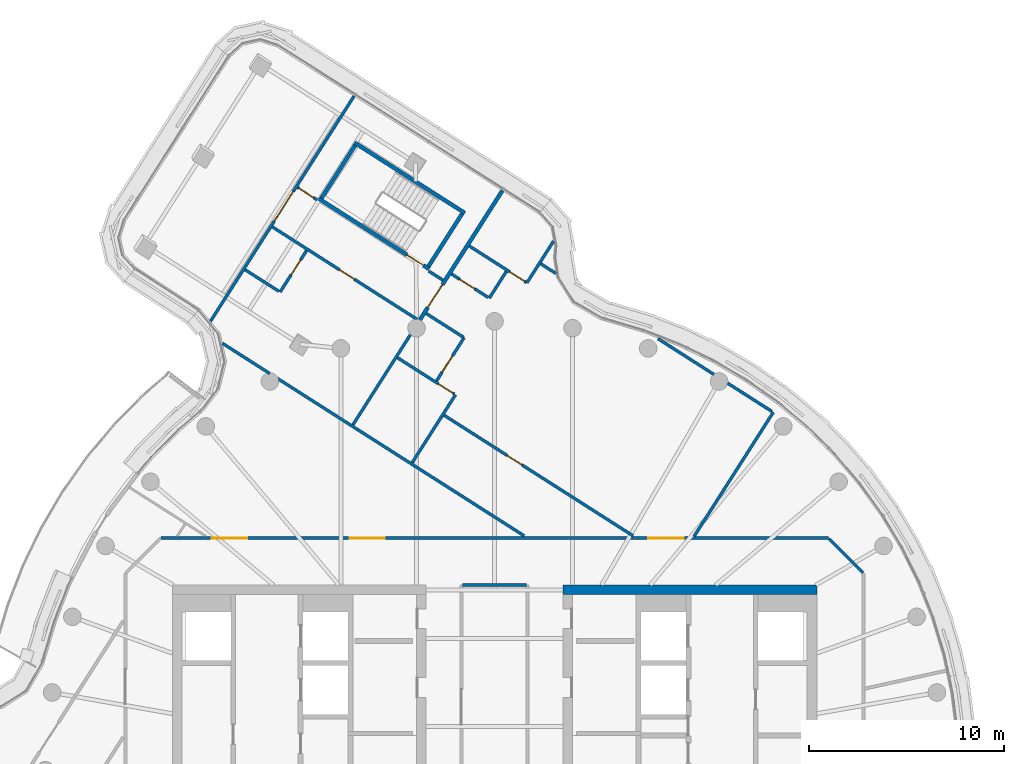
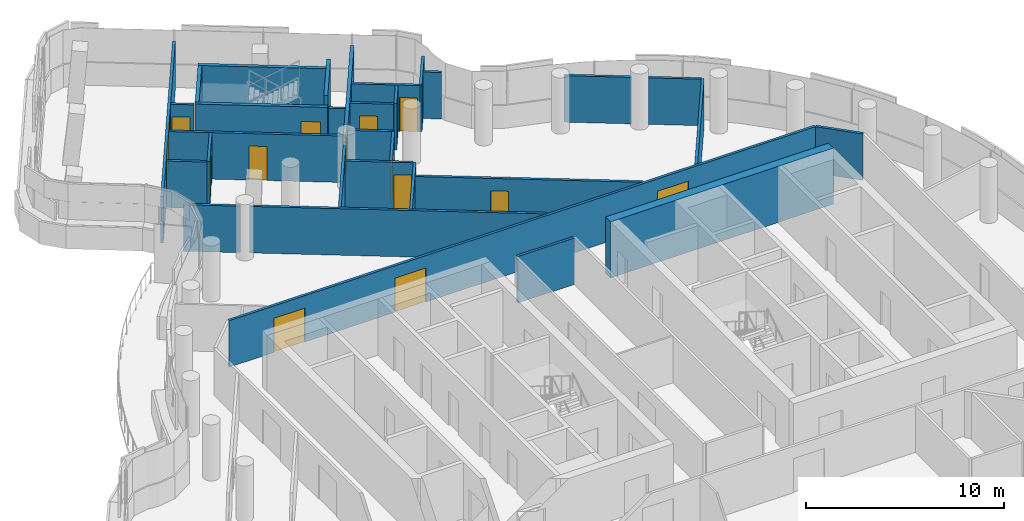
# One storey, part 20 of 27: 31 walls, 14 doors, 14 openings.
"""IFC4 building model written with IfcOpenShell, lengths in metres."""

from ifc_helpers import new_model, si_unit, direction, frame, frame_2d, origin, place, context, subcontext, project, spatial, polyline, rectangle, outline, extrude, material, layer, layer_set, type_object, element, fill, save


model = new_model("IFC4")

# Units and contexts
model_context = context("Model", 3, precision=1e-05, world=origin(), true_north=direction((0.0, 1.0)))
body_context = subcontext(model_context, "Body", "Model", "MODEL_VIEW")
ifc_project = project(units=[si_unit("LENGTHUNIT", "METRE"), si_unit("AREAUNIT", "SQUARE_METRE"), si_unit("VOLUMEUNIT", "CUBIC_METRE"), si_unit("PLANEANGLEUNIT", "RADIAN"), si_unit("MASSUNIT", "GRAM", prefix="KILO")], contexts=[model_context])

# Site, building, storey
site_placement = place(None, origin())
site = spatial("IfcSite", under=ifc_project, at=site_placement, CompositionType="ELEMENT")
building_placement = place(site_placement, origin())
building = spatial("IfcBuilding", under=site, at=building_placement, Name="Tamarind Cross Interchange Tower", CompositionType="ELEMENT")
storey_placement = place(building_placement, frame((0.0, 0.0, 241.5)))
storey = spatial("IfcBuildingStorey", under=building, at=storey_placement, Name="L61", CompositionType="ELEMENT", Elevation=241.5)

# Walls
ifc_material_1 = material(Name="Concrete C50", Category="concrete")
ifc_layer_1 = layer(ifc_material_1, 0.5)
ifc_layer_set_1 = layer_set([ifc_layer_1], Name="Concrete C50")
wall_type_1 = type_object("IfcWallType", Name="Core wall 500 mm Concrete C50", PredefinedType="SHEAR", material=ifc_layer_set_1)
wall_1_placement = place(storey_placement, frame((16.5, 9.25, 0.0), z_axis=(0.0, 0.0, 1.0), x_axis=(-1.0, 0.0, 0.0)))
element("IfcWall", 1, at=wall_1_placement, inside=storey, type_object=wall_type_1, Name="Core wall CWL-L61-E-NE", PredefinedType="SHEAR", context=body_context, shape_type="SweptSolid", body=[
    extrude(rectangle(XDim=13.0, YDim=0.5, at=frame_2d((6.5, 0.0))), origin(), (0.0, 0.0, 1.0), 3.4599609375),
])
ifc_material_2 = material(Name="Gypsum board partition on steel studs", Category="steel")
ifc_layer_2 = layer(ifc_material_2, 0.14990234375)
ifc_layer_set_2 = layer_set([ifc_layer_2], Name="Gypsum board partition on steel studs")
wall_type_2 = type_object("IfcWallType", Name="Partition 150 mm EI 120", PredefinedType="PARTITIONING", material=ifc_layer_set_2)
wall_2_placement = place(storey_placement, frame((17.12841796875, 11.87158203125, 0.0), z_axis=(0.0, 0.0, 1.0), x_axis=(0.707106781187, -0.707106781187, 0.0)))
element("IfcWall", 2, at=wall_2_placement, inside=storey, type_object=wall_type_2, Name="Partition L61-003", PredefinedType="PARTITIONING", context=body_context, shape_type="SweptSolid", body=[
    extrude(rectangle(XDim=2.465087890625, YDim=0.14990234375, at=frame_2d((1.232421875, 0.0))), origin(), (0.0, 0.0, 1.0), 2.864013671875),
])
wall_3_placement = place(storey_placement, frame((-13.931640625, 21.872802734375, 0.0), z_axis=(0.0, 0.0, 1.0), x_axis=(0.84305579935, -0.537826104966, 0.0)))
element("IfcWall", 3, at=wall_3_placement, inside=storey, type_object=wall_type_2, Name="Partition L61-010", PredefinedType="PARTITIONING", context=body_context, shape_type="SweptSolid", body=[
    extrude(rectangle(XDim=2.873779296875, YDim=0.14990234375, at=frame_2d((1.43701171875, 0.0))), origin(), (0.0, 0.0, 1.0), 2.864013671875),
])
wall_4_placement = place(storey_placement, frame((-11.12939453125, 20.085205078125, 0.0), z_axis=(0.0, 0.0, 1.0), x_axis=(0.843050351753, -0.537834644114, 0.0)))
element("IfcWall", 4, at=wall_4_placement, inside=storey, type_object=wall_type_2, Name="Partition L61-011", PredefinedType="PARTITIONING", context=body_context, shape_type="SweptSolid", body=[
    extrude(rectangle(XDim=14.998779296875, YDim=0.14990234375, at=frame_2d((7.49951171875, 0.0))), origin(), (0.0, 0.0, 1.0), 2.864013671875),
])
wall_5_placement = place(storey_placement, frame((-12.767578125, 25.637939453125, 0.0), z_axis=(0.0, 0.0, 1.0), x_axis=(0.842938331802, -0.538010193935, 0.0)))
element("IfcWall", 5, at=wall_5_placement, inside=storey, type_object=wall_type_2, Name="Partition L61-012", PredefinedType="PARTITIONING", context=body_context, shape_type="SweptSolid", body=[
    extrude(rectangle(XDim=2.045654296875, YDim=0.14990234375, at=frame_2d((1.02294921875, 0.0))), origin(), (0.0, 0.0, 1.0), 2.864013671875),
])

# Wall, opening, door
wall_6_placement = place(storey_placement, frame((-11.36865234375, 27.829833984375, 0.0), z_axis=(0.0, 0.0, 1.0), x_axis=(0.842808712654, -0.53821322343, 0.0)))
wall_6 = element("IfcWall", 6, at=wall_6_placement, inside=storey, type_object=wall_type_2, Name="Partition L61-013", PredefinedType="PARTITIONING", context=body_context, shape_type="SweptSolid", body=[
    extrude(rectangle(XDim=8.781494140625, YDim=0.14990234375, at=frame_2d((4.390625, 0.0))), origin(), (0.0, 0.0, 1.0), 2.864013671875),
])
opening_1_placement = place(wall_6_placement, frame((4.06982421875, 0.0, 0.0)))
opening_1 = element("IfcOpeningElement", 7, at=opening_1_placement, cuts=wall_6, Name="Opening D04", PredefinedType="OPENING", context=body_context, shape_type="SweptSolid", body=[
    extrude(rectangle(XDim=0.89990234375, YDim=2.10009765625, at=frame_2d((0.449951171875, 1.050048828125))), frame((0.0, 0.0849609375, 0.0), z_axis=(0.0, -1.0, 0.0), x_axis=(1.0, 0.0, 0.0)), (0.0, 0.0, 1.0), 0.169921875),
])
ifc_material_3 = material(Name="Fire-resisting door set")
door_type_1 = type_object("IfcDoorType", Name="Interior door 900 x 2100 FD60S", OperationType="SINGLE_SWING_LEFT", PredefinedType="DOOR", material=ifc_material_3)
door_1_placement = place(opening_1_placement, frame((0.89990234375, 0.0, 0.0), z_axis=(0.0, 0.0, 1.0), x_axis=(-1.0, 0.0, 0.0)))
door_1 = element("IfcDoor", 8, at=door_1_placement, inside=storey, type_object=door_type_1, Name="Door D04", OperationType="SINGLE_SWING_RIGHT", OverallHeight=2.10009765625, OverallWidth=0.89990234375, PredefinedType="DOOR", context=body_context, shape_type="SweptSolid", body=[
    extrude(rectangle(XDim=0.89990234375, YDim=2.10009765625, at=frame_2d((0.449951171875, 1.050048828125))), frame((0.0, 0.02490234375, 0.0), z_axis=(0.0, -1.0, 0.0), x_axis=(1.0, 0.0, 0.0)), (0.0, 0.0, 1.0), 0.050048828125),
])
fill(opening_1, door_1)

wall_7_placement = place(storey_placement, frame((-10.07861328125, 29.85302734375, 0.0), z_axis=(0.0, 0.0, 1.0), x_axis=(0.843055969534, -0.537825838198, 0.0)))
wall_7 = element("IfcWall", 9, at=wall_7_placement, inside=storey, type_object=wall_type_2, Name="Partition L61-014", PredefinedType="PARTITIONING", context=body_context, shape_type="SweptSolid", body=[
    extrude(rectangle(XDim=1.1796875, YDim=0.14990234375, at=frame_2d((0.58984375, 0.0))), origin(), (0.0, 0.0, 1.0), 2.864013671875),
])
opening_2_placement = place(wall_7_placement, frame((0.070068359375, 0.0, 0.0)))
opening_2 = element("IfcOpeningElement", 10, at=opening_2_placement, cuts=wall_7, Name="Opening D05", PredefinedType="OPENING", context=body_context, shape_type="SweptSolid", body=[
    extrude(rectangle(XDim=0.89990234375, YDim=2.10009765625, at=frame_2d((0.449951171875, 1.050048828125))), frame((0.0, 0.0849609375, 0.0), z_axis=(0.0, -1.0, 0.0), x_axis=(1.0, 0.0, 0.0)), (0.0, 0.0, 1.0), 0.169921875),
])
door_2_placement = place(opening_2_placement, origin())
door_2 = element("IfcDoor", 11, at=door_2_placement, inside=storey, type_object=door_type_1, Name="Door D05", OperationType="SINGLE_SWING_RIGHT", OverallHeight=2.10009765625, OverallWidth=0.89990234375, PredefinedType="DOOR", context=body_context, shape_type="SweptSolid", body=[
    extrude(rectangle(XDim=0.89990234375, YDim=2.10009765625, at=frame_2d((0.449951171875, 1.050048828125))), frame((0.0, 0.02490234375, 0.0), z_axis=(0.0, -1.0, 0.0), x_axis=(1.0, 0.0, 0.0)), (0.0, 0.0, 1.0), 0.050048828125),
])
fill(opening_2, door_2)

# Wall
wall_8_placement = place(storey_placement, frame((-3.3671875, 25.5712890625, 0.0), z_axis=(0.0, 0.0, 1.0), x_axis=(0.843064660237, -0.537812215052, 0.0)))
element("IfcWall", 12, at=wall_8_placement, inside=storey, type_object=wall_type_2, Name="Partition L61-015", PredefinedType="PARTITIONING", context=body_context, shape_type="SweptSolid", body=[
    extrude(rectangle(XDim=0.85986328125, YDim=0.14990234375, at=frame_2d((0.429931640625, 0.0))), origin(), (0.0, 0.0, 1.0), 2.864013671875),
])

# Wall, opening, door
wall_9_placement = place(storey_placement, frame((-4.964599609375, 21.134033203125, 0.0), z_axis=(0.0, 0.0, 1.0), x_axis=(0.843056900244, -0.537824379283, 0.0)))
wall_9 = element("IfcWall", 13, at=wall_9_placement, inside=storey, type_object=wall_type_2, Name="Partition L61-016", PredefinedType="PARTITIONING", context=body_context, shape_type="SweptSolid", body=[
    extrude(rectangle(XDim=3.445068359375, YDim=0.14990234375, at=frame_2d((1.72265625, 0.0))), origin(), (0.0, 0.0, 1.0), 2.864013671875),
])
opening_3_placement = place(wall_9_placement, frame((2.46923828125, 0.0, 0.0)))
opening_3 = element("IfcOpeningElement", 14, at=opening_3_placement, cuts=wall_9, Name="Opening D06", PredefinedType="OPENING", context=body_context, shape_type="SweptSolid", body=[
    extrude(rectangle(XDim=0.89990234375, YDim=2.10009765625, at=frame_2d((0.449951171875, 1.050048828125))), frame((0.0, 0.0849609375, 0.0), z_axis=(0.0, -1.0, 0.0), x_axis=(1.0, 0.0, 0.0)), (0.0, 0.0, 1.0), 0.169921875),
])
door_3_placement = place(opening_3_placement, frame((0.89990234375, 0.0, 0.0), z_axis=(0.0, 0.0, 1.0), x_axis=(-1.0, 0.0, 0.0)))
door_3 = element("IfcDoor", 15, at=door_3_placement, inside=storey, type_object=door_type_1, Name="Door D06", OperationType="SINGLE_SWING_RIGHT", OverallHeight=2.10009765625, OverallWidth=0.89990234375, PredefinedType="DOOR", context=body_context, shape_type="SweptSolid", body=[
    extrude(rectangle(XDim=0.89990234375, YDim=2.10009765625, at=frame_2d((0.449951171875, 1.050048828125))), frame((0.0, 0.02490234375, 0.0), z_axis=(0.0, -1.0, 0.0), x_axis=(1.0, 0.0, 0.0)), (0.0, 0.0, 1.0), 0.050048828125),
])
fill(opening_3, door_3)

# Wall
wall_10_placement = place(storey_placement, frame((-3.491455078125, 23.3974609375, 0.0), z_axis=(0.0, 0.0, 1.0), x_axis=(0.84298020295, -0.53794458584, 0.0)))
element("IfcWall", 16, at=wall_10_placement, inside=storey, type_object=wall_type_2, Name="Partition L61-017", PredefinedType="PARTITIONING", context=body_context, shape_type="SweptSolid", body=[
    extrude(rectangle(XDim=2.274658203125, YDim=0.14990234375, at=frame_2d((1.13720703125, 0.0))), origin(), (0.0, 0.0, 1.0), 2.864013671875),
])

# Wall, opening, door
wall_11_placement = place(storey_placement, frame((-2.57470703125, 18.18603515625, 0.0), z_axis=(0.0, 0.0, 1.0), x_axis=(0.843059611205, -0.537820129741, 0.0)))
wall_11 = element("IfcWall", 17, at=wall_11_placement, inside=storey, type_object=wall_type_2, Name="Partition L61-018", PredefinedType="PARTITIONING", context=body_context, shape_type="SweptSolid", body=[
    extrude(rectangle(XDim=11.468017578125, YDim=0.14990234375, at=frame_2d((5.73388671875, 0.0))), origin(), (0.0, 0.0, 1.0), 2.864013671875),
])
opening_4_placement = place(wall_11_placement, frame((3.820068359375, 0.0, 0.0)))
opening_4 = element("IfcOpeningElement", 18, at=opening_4_placement, cuts=wall_11, Name="Opening D07", PredefinedType="OPENING", context=body_context, shape_type="SweptSolid", body=[
    extrude(rectangle(XDim=0.89990234375, YDim=2.10009765625, at=frame_2d((0.449951171875, 1.050048828125))), frame((0.0, 0.0849609375, 0.0), z_axis=(0.0, -1.0, 0.0), x_axis=(1.0, 0.0, 0.0)), (0.0, 0.0, 1.0), 0.169921875),
])
door_4_placement = place(opening_4_placement, frame((0.89990234375, 0.0, 0.0), z_axis=(0.0, 0.0, 1.0), x_axis=(-1.0, 0.0, 0.0)))
door_4 = element("IfcDoor", 19, at=door_4_placement, inside=storey, type_object=door_type_1, Name="Door D07", OperationType="SINGLE_SWING_LEFT", OverallHeight=2.10009765625, OverallWidth=0.89990234375, PredefinedType="DOOR", context=body_context, shape_type="SweptSolid", body=[
    extrude(rectangle(XDim=0.89990234375, YDim=2.10009765625, at=frame_2d((0.449951171875, 1.050048828125))), frame((0.0, 0.02490234375, 0.0), z_axis=(0.0, -1.0, 0.0), x_axis=(1.0, 0.0, 0.0)), (0.0, 0.0, 1.0), 0.050048828125),
])
fill(opening_4, door_4)

wall_12_placement = place(storey_placement, frame((-2.200439453125, 25.42041015625, 0.0), z_axis=(0.0, 0.0, 1.0), x_axis=(0.842975391094, -0.537952126133, 0.0)))
wall_12 = element("IfcWall", 20, at=wall_12_placement, inside=storey, type_object=wall_type_2, Name="Partition L61-019", PredefinedType="PARTITIONING", context=body_context, shape_type="SweptSolid", body=[
    extrude(rectangle(XDim=2.214599609375, YDim=0.14990234375, at=frame_2d((1.107421875, 0.0))), origin(), (0.0, 0.0, 1.0), 2.864013671875),
])
opening_5_placement = place(wall_12_placement, frame((0.4951171875, 0.0, 0.0)))
opening_5 = element("IfcOpeningElement", 21, at=opening_5_placement, cuts=wall_12, Name="Opening D08", PredefinedType="OPENING", context=body_context, shape_type="SweptSolid", body=[
    extrude(rectangle(XDim=0.89990234375, YDim=2.10009765625, at=frame_2d((0.449951171875, 1.050048828125))), frame((0.0, 0.0849609375, 0.0), z_axis=(0.0, -1.0, 0.0), x_axis=(1.0, 0.0, 0.0)), (0.0, 0.0, 1.0), 0.169921875),
])
door_5_placement = place(opening_5_placement, origin())
door_5 = element("IfcDoor", 22, at=door_5_placement, inside=storey, type_object=door_type_1, Name="Door D08", OperationType="SINGLE_SWING_RIGHT", OverallHeight=2.10009765625, OverallWidth=0.89990234375, PredefinedType="DOOR", context=body_context, shape_type="SweptSolid", body=[
    extrude(rectangle(XDim=0.89990234375, YDim=2.10009765625, at=frame_2d((0.449951171875, 1.050048828125))), frame((0.0, 0.02490234375, 0.0), z_axis=(0.0, -1.0, 0.0), x_axis=(1.0, 0.0, 0.0)), (0.0, 0.0, 1.0), 0.050048828125),
])
fill(opening_5, door_5)

wall_13_placement = place(storey_placement, frame((-1.28662109375, 26.853515625, 0.0), z_axis=(0.0, 0.0, 1.0), x_axis=(0.842983894233, -0.537938801412, 0.0)))
wall_13 = element("IfcWall", 23, at=wall_13_placement, inside=storey, type_object=wall_type_2, Name="Partition L61-020", PredefinedType="PARTITIONING", context=body_context, shape_type="SweptSolid", body=[
    extrude(rectangle(XDim=3.47509765625, YDim=0.14990234375, at=frame_2d((1.737548828125, 0.0))), origin(), (0.0, 0.0, 1.0), 2.864013671875),
])
opening_6_placement = place(wall_13_placement, frame((2.44482421875, 0.0, 0.0)))
opening_6 = element("IfcOpeningElement", 24, at=opening_6_placement, cuts=wall_13, Name="Opening D09", PredefinedType="OPENING", context=body_context, shape_type="SweptSolid", body=[
    extrude(rectangle(XDim=0.89990234375, YDim=2.10009765625, at=frame_2d((0.449951171875, 1.050048828125))), frame((0.0, 0.0849609375, 0.0), z_axis=(0.0, -1.0, 0.0), x_axis=(1.0, 0.0, 0.0)), (0.0, 0.0, 1.0), 0.169921875),
])
door_6_placement = place(opening_6_placement, origin())
door_6 = element("IfcDoor", 25, at=door_6_placement, inside=storey, type_object=door_type_1, Name="Door D09", OperationType="SINGLE_SWING_LEFT", OverallHeight=2.10009765625, OverallWidth=0.89990234375, PredefinedType="DOOR", context=body_context, shape_type="SweptSolid", body=[
    extrude(rectangle(XDim=0.89990234375, YDim=2.10009765625, at=frame_2d((0.449951171875, 1.050048828125))), frame((0.0, 0.02490234375, 0.0), z_axis=(0.0, -1.0, 0.0), x_axis=(1.0, 0.0, 0.0)), (0.0, 0.0, 1.0), 0.050048828125),
])
fill(opening_6, door_6)

# Walls
wall_14_placement = place(storey_placement, frame((2.372314453125, 25.94287109375, 0.0), z_axis=(0.0, 0.0, 1.0), x_axis=(0.842803803876, -0.538220910197, 0.0)))
element("IfcWall", 26, at=wall_14_placement, inside=storey, type_object=wall_type_2, Name="Partition L61-021", PredefinedType="PARTITIONING", context=body_context, shape_type="SweptSolid", body=[
    extrude(rectangle(XDim=0.915283203125, YDim=0.14990234375, at=frame_2d((0.45751953125, 0.0))), origin(), (0.0, 0.0, 1.0), 2.864013671875),
])
wall_15_placement = place(storey_placement, frame((8.373779296875, 22.10888671875, 0.0), z_axis=(0.0, 0.0, 1.0), x_axis=(0.842724357982, -0.538345294828, 0.0)))
element("IfcWall", 27, at=wall_15_placement, inside=storey, type_object=wall_type_2, Name="Partition L61-022", PredefinedType="PARTITIONING", context=body_context, shape_type="SweptSolid", body=[
    extrude(rectangle(XDim=3.39453125, YDim=0.14990234375, at=frame_2d((1.697265625, 0.0))), origin(), (0.0, 0.0, 1.0), 2.864013671875),
])
wall_16_placement = place(storey_placement, frame((11.93701171875, 19.83251953125, 0.0), z_axis=(0.0, 0.0, 1.0), x_axis=(0.84271680183, -0.538357123026, 0.0)))
element("IfcWall", 28, at=wall_16_placement, inside=storey, type_object=wall_type_2, Name="Partition L61-023", PredefinedType="PARTITIONING", context=body_context, shape_type="SweptSolid", body=[
    extrude(rectangle(XDim=2.696044921875, YDim=0.14990234375, at=frame_2d((1.34814453125, 0.0))), origin(), (0.0, 0.0, 1.0), 2.864013671875),
])

# Wall, openings, doors
wall_17_placement = place(storey_placement, frame((-17.06494140625, 11.89990234375, 0.0), z_axis=(0.0, 0.0, 1.0), x_axis=(1.0, 0.0, 0.0)))
wall_17 = element("IfcWall", 29, at=wall_17_placement, inside=storey, type_object=wall_type_2, Name="Partition L61-025", PredefinedType="PARTITIONING", context=body_context, shape_type="SweptSolid", body=[
    extrude(rectangle(XDim=34.1650390625, YDim=0.14990234375, at=frame_2d((17.08251953125, 0.0))), origin(), (0.0, 0.0, 1.0), 2.864013671875),
])
opening_7_placement = place(wall_17_placement, frame((24.944091796875, 0.0, 0.0)))
opening_7 = element("IfcOpeningElement", 30, at=opening_7_placement, cuts=wall_17, Name="Opening D16", PredefinedType="OPENING", context=body_context, shape_type="SweptSolid", body=[
    extrude(rectangle(XDim=1.800048828125, YDim=2.10009765625, at=frame_2d((0.89990234375, 1.050048828125))), frame((0.0, 0.0849609375, 0.0), z_axis=(0.0, -1.0, 0.0), x_axis=(1.0, 0.0, 0.0)), (0.0, 0.0, 1.0), 0.169921875),
])
opening_8_placement = place(wall_17_placement, frame((9.64208984375, 0.0, 0.0)))
opening_8 = element("IfcOpeningElement", 31, at=opening_8_placement, cuts=wall_17, Name="Opening D17", PredefinedType="OPENING", context=body_context, shape_type="SweptSolid", body=[
    extrude(rectangle(XDim=1.800048828125, YDim=2.10009765625, at=frame_2d((0.89990234375, 1.050048828125))), frame((0.0, 0.0849609375, 0.0), z_axis=(0.0, -1.0, 0.0), x_axis=(1.0, 0.0, 0.0)), (0.0, 0.0, 1.0), 0.169921875),
])
opening_9_placement = place(wall_17_placement, frame((2.592041015625, 0.0, 0.0)))
opening_9 = element("IfcOpeningElement", 32, at=opening_9_placement, cuts=wall_17, Name="Opening D18", PredefinedType="OPENING", context=body_context, shape_type="SweptSolid", body=[
    extrude(rectangle(XDim=1.800048828125, YDim=2.10009765625, at=frame_2d((0.89990234375, 1.050048828125))), frame((0.0, 0.0849609375, 0.0), z_axis=(0.0, -1.0, 0.0), x_axis=(1.0, 0.0, 0.0)), (0.0, 0.0, 1.0), 0.169921875),
])
door_type_2 = type_object("IfcDoorType", Name="Interior door 1800 x 2100 FD60S", OperationType="DOUBLE_DOOR_SINGLE_SWING", PredefinedType="DOOR", material=ifc_material_3)
door_7_placement = place(opening_7_placement, frame((1.800048828125, 0.0, 0.0), z_axis=(0.0, 0.0, 1.0), x_axis=(-1.0, 0.0, 0.0)))
door_7 = element("IfcDoor", 33, at=door_7_placement, inside=storey, type_object=door_type_2, Name="Door D16", OperationType="DOUBLE_DOOR_SINGLE_SWING", OverallHeight=2.10009765625, OverallWidth=1.800048828125, PredefinedType="DOOR", context=body_context, shape_type="SweptSolid", body=[
    extrude(rectangle(XDim=1.800048828125, YDim=2.10009765625, at=frame_2d((0.89990234375, 1.050048828125))), frame((0.0, 0.02490234375, 0.0), z_axis=(0.0, -1.0, 0.0), x_axis=(1.0, 0.0, 0.0)), (0.0, 0.0, 1.0), 0.050048828125),
])
fill(opening_7, door_7)
door_8_placement = place(opening_8_placement, origin())
door_8 = element("IfcDoor", 34, at=door_8_placement, inside=storey, type_object=door_type_2, Name="Door D17", OperationType="DOUBLE_DOOR_SINGLE_SWING", OverallHeight=2.10009765625, OverallWidth=1.800048828125, PredefinedType="DOOR", context=body_context, shape_type="SweptSolid", body=[
    extrude(rectangle(XDim=1.800048828125, YDim=2.10009765625, at=frame_2d((0.89990234375, 1.050048828125))), frame((0.0, 0.02490234375, 0.0), z_axis=(0.0, -1.0, 0.0), x_axis=(1.0, 0.0, 0.0)), (0.0, 0.0, 1.0), 0.050048828125),
])
fill(opening_8, door_8)
door_9_placement = place(opening_9_placement, origin())
door_9 = element("IfcDoor", 35, at=door_9_placement, inside=storey, type_object=door_type_2, Name="Door D18", OperationType="DOUBLE_DOOR_SINGLE_SWING", OverallHeight=2.10009765625, OverallWidth=1.800048828125, PredefinedType="DOOR", context=body_context, shape_type="SweptSolid", body=[
    extrude(rectangle(XDim=1.800048828125, YDim=2.10009765625, at=frame_2d((0.89990234375, 1.050048828125))), frame((0.0, 0.02490234375, 0.0), z_axis=(0.0, -1.0, 0.0), x_axis=(1.0, 0.0, 0.0)), (0.0, 0.0, 1.0), 0.050048828125),
])
fill(opening_9, door_9)

# Wall
wall_18_placement = place(storey_placement, frame((-1.639892578125, 9.5, 0.0), z_axis=(0.0, 0.0, 1.0), x_axis=(1.0, 0.0, 0.0)))
element("IfcWall", 36, at=wall_18_placement, inside=storey, type_object=wall_type_2, Name="Partition L61-030", PredefinedType="PARTITIONING", context=body_context, shape_type="SweptSolid", body=[
    extrude(rectangle(XDim=3.27978515625, YDim=0.14990234375, at=frame_2d((1.639892578125, 0.0))), origin(), (0.0, 0.0, 1.0), 2.864013671875),
])

# Wall, opening, door
wall_19_placement = place(storey_placement, frame((-14.544677734375, 22.999755859375, 0.0), z_axis=(0.0, 0.0, 1.0), x_axis=(0.537610956174, 0.84319301456, 0.0)))
wall_19 = element("IfcWall", 37, at=wall_19_placement, inside=storey, type_object=wall_type_2, Name="Partition L61-044", PredefinedType="PARTITIONING", context=body_context, shape_type="SweptSolid", body=[
    extrude(rectangle(XDim=13.6787109375, YDim=0.14990234375, at=frame_2d((6.83935546875, 0.0))), origin(), (0.0, 0.0, 1.0), 2.864013671875),
])
opening_10_placement = place(wall_19_placement, frame((6.080322265625, 0.0, 0.0)))
opening_10 = element("IfcOpeningElement", 38, at=opening_10_placement, cuts=wall_19, Name="Opening D22", PredefinedType="OPENING", context=body_context, shape_type="SweptSolid", body=[
    extrude(rectangle(XDim=1.800048828125, YDim=2.10009765625, at=frame_2d((0.89990234375, 1.050048828125))), frame((0.0, 0.0849609375, 0.0), z_axis=(0.0, -1.0, 0.0), x_axis=(1.0, 0.0, 0.0)), (0.0, 0.0, 1.0), 0.169921875),
])
door_10_placement = place(opening_10_placement, origin())
door_10 = element("IfcDoor", 39, at=door_10_placement, inside=storey, type_object=door_type_2, Name="Door D22", OperationType="DOUBLE_DOOR_SINGLE_SWING", OverallHeight=2.10009765625, OverallWidth=1.800048828125, PredefinedType="DOOR", context=body_context, shape_type="SweptSolid", body=[
    extrude(rectangle(XDim=1.800048828125, YDim=2.10009765625, at=frame_2d((0.89990234375, 1.050048828125))), frame((0.0, 0.02490234375, 0.0), z_axis=(0.0, -1.0, 0.0), x_axis=(1.0, 0.0, 0.0)), (0.0, 0.0, 1.0), 0.050048828125),
])
fill(opening_10, door_10)

wall_20_placement = place(storey_placement, frame((-10.97998046875, 24.4970703125, 0.0), z_axis=(0.0, 0.0, 1.0), x_axis=(0.537727831527, 0.843118484675, 0.0)))
wall_20 = element("IfcWall", 40, at=wall_20_placement, inside=storey, type_object=wall_type_2, Name="Partition L61-045", PredefinedType="PARTITIONING", context=body_context, shape_type="SweptSolid", body=[
    extrude(rectangle(XDim=2.519775390625, YDim=0.14990234375, at=frame_2d((1.259765625, 0.0))), origin(), (0.0, 0.0, 1.0), 2.864013671875),
])
opening_11_placement = place(wall_20_placement, frame((1.050048828125, 0.0, 0.0)))
opening_11 = element("IfcOpeningElement", 41, at=opening_11_placement, cuts=wall_20, Name="Opening D23", PredefinedType="OPENING", context=body_context, shape_type="SweptSolid", body=[
    extrude(rectangle(XDim=0.89990234375, YDim=2.10009765625, at=frame_2d((0.449951171875, 1.050048828125))), frame((0.0, 0.0849609375, 0.0), z_axis=(0.0, -1.0, 0.0), x_axis=(1.0, 0.0, 0.0)), (0.0, 0.0, 1.0), 0.169921875),
])
door_11_placement = place(opening_11_placement, origin())
door_11 = element("IfcDoor", 42, at=door_11_placement, inside=storey, type_object=door_type_1, Name="Door D23", OperationType="SINGLE_SWING_LEFT", OverallHeight=2.10009765625, OverallWidth=0.89990234375, PredefinedType="DOOR", context=body_context, shape_type="SweptSolid", body=[
    extrude(rectangle(XDim=0.89990234375, YDim=2.10009765625, at=frame_2d((0.449951171875, 1.050048828125))), frame((0.0, 0.02490234375, 0.0), z_axis=(0.0, -1.0, 0.0), x_axis=(1.0, 0.0, 0.0)), (0.0, 0.0, 1.0), 0.050048828125),
])
fill(opening_11, door_11)

# Walls
wall_21_placement = place(storey_placement, frame((-7.248046875, 17.704345703125, 0.0), z_axis=(0.0, 0.0, 1.0), x_axis=(0.537934380023, 0.842986715666, 0.0)))
element("IfcWall", 43, at=wall_21_placement, inside=storey, type_object=wall_type_2, Name="Partition L61-046", PredefinedType="PARTITIONING", context=body_context, shape_type="SweptSolid", body=[
    extrude(rectangle(XDim=5.69677734375, YDim=0.14990234375, at=frame_2d((2.848388671875, 0.0))), origin(), (0.0, 0.0, 1.0), 2.864013671875),
])
wall_22_placement = place(storey_placement, frame((-4.212890625, 15.767333984375, 0.0), z_axis=(0.0, 0.0, 1.0), x_axis=(0.53797543427, 0.842960516348, 0.0)))
element("IfcWall", 44, at=wall_22_placement, inside=storey, type_object=wall_type_2, Name="Partition L61-048", PredefinedType="PARTITIONING", context=body_context, shape_type="SweptSolid", body=[
    extrude(rectangle(XDim=4.1201171875, YDim=0.14990234375, at=frame_2d((2.06005859375, 0.0))), origin(), (0.0, 0.0, 1.0), 2.864013671875),
])
wall_23_placement = place(storey_placement, frame((1.661865234375, 24.972900390625, 0.0), z_axis=(0.0, 0.0, 1.0), x_axis=(0.537980026961, 0.842957585286, 0.0)))
element("IfcWall", 45, at=wall_23_placement, inside=storey, type_object=wall_type_2, Name="Partition L61-049", PredefinedType="PARTITIONING", context=body_context, shape_type="SweptSolid", body=[
    extrude(rectangle(XDim=2.530517578125, YDim=0.14990234375, at=frame_2d((1.26513671875, 0.0))), origin(), (0.0, 0.0, 1.0), 2.864013671875),
])

# Wall, opening, door
wall_24_placement = place(storey_placement, frame((-2.966064453125, 19.954345703125, 0.0), z_axis=(0.0, 0.0, 1.0), x_axis=(0.53785794484, 0.843035486307, 0.0)))
wall_24 = element("IfcWall", 46, at=wall_24_placement, inside=storey, type_object=wall_type_2, Name="Partition L61-050", PredefinedType="PARTITIONING", context=body_context, shape_type="SweptSolid", body=[
    extrude(rectangle(XDim=2.619873046875, YDim=0.14990234375, at=frame_2d((1.31005859375, 0.0))), origin(), (0.0, 0.0, 1.0), 2.864013671875),
])
opening_12_placement = place(wall_24_placement, frame((0.52001953125, 0.0, 0.0)))
opening_12 = element("IfcOpeningElement", 47, at=opening_12_placement, cuts=wall_24, Name="Opening D25", PredefinedType="OPENING", context=body_context, shape_type="SweptSolid", body=[
    extrude(rectangle(XDim=1.0, YDim=2.10009765625, at=frame_2d((0.5, 1.050048828125))), frame((0.0, 0.0849609375, 0.0), z_axis=(0.0, -1.0, 0.0), x_axis=(1.0, 0.0, 0.0)), (0.0, 0.0, 1.0), 0.169921875),
])
door_type_3 = type_object("IfcDoorType", Name="Interior door 1000 x 2100 FD60S", OperationType="SINGLE_SWING_LEFT", PredefinedType="DOOR", material=ifc_material_3)
door_12_placement = place(opening_12_placement, origin())
door_12 = element("IfcDoor", 48, at=door_12_placement, inside=storey, type_object=door_type_3, Name="Door D25", OperationType="SINGLE_SWING_RIGHT", OverallHeight=2.10009765625, OverallWidth=1.0, PredefinedType="DOOR", context=body_context, shape_type="SweptSolid", body=[
    extrude(rectangle(XDim=1.0, YDim=2.10009765625, at=frame_2d((0.5, 1.050048828125))), frame((0.0, 0.02490234375, 0.0), z_axis=(0.0, -1.0, 0.0), x_axis=(1.0, 0.0, 0.0)), (0.0, 0.0, 1.0), 0.050048828125),
])
fill(opening_12, door_12)

# Walls
wall_25_placement = place(storey_placement, frame((-0.266357421875, 24.186279296875, 0.0), z_axis=(0.0, 0.0, 1.0), x_axis=(0.537889588497, 0.843015296769, 0.0)))
element("IfcWall", 49, at=wall_25_placement, inside=storey, type_object=wall_type_2, Name="Partition L61-051", PredefinedType="PARTITIONING", context=body_context, shape_type="SweptSolid", body=[
    extrude(rectangle(XDim=1.619384765625, YDim=0.14990234375, at=frame_2d((0.8095703125, 0.0))), origin(), (0.0, 0.0, 1.0), 2.864013671875),
])
wall_26_placement = place(storey_placement, frame((10.224853515625, 11.996826171875, 0.0), z_axis=(0.0, 0.0, 1.0), x_axis=(0.537881615137, 0.843020384153, 0.0)))
element("IfcWall", 50, at=wall_26_placement, inside=storey, type_object=wall_type_2, Name="Partition L61-052", PredefinedType="PARTITIONING", context=body_context, shape_type="SweptSolid", body=[
    extrude(rectangle(XDim=7.53369140625, YDim=0.14990234375, at=frame_2d((3.766845703125, 0.0))), origin(), (0.0, 0.0, 1.0), 2.864013671875),
])

# Wall, opening, door
ifc_layer_3 = layer(ifc_material_2, 0.199951171875)
ifc_layer_set_3 = layer_set([ifc_layer_3], Name="Gypsum board partition on steel studs")
wall_type_3 = type_object("IfcWallType", Name="Partition 200 mm EI 180", PredefinedType="PARTITIONING", material=ifc_layer_set_3)
wall_27_placement = place(storey_placement, frame((-3.94140625, 22.885986328125, 0.0), z_axis=(0.0, 0.0, 1.0), x_axis=(0.537927996359, 0.842990789234, 0.0)))
wall_27 = element("IfcWall", 51, at=wall_27_placement, inside=storey, type_object=wall_type_3, Name="Partition L61-047", PredefinedType="PARTITIONING", context=body_context, shape_type="SweptSolid", body=[
    extrude(rectangle(XDim=8.07177734375, YDim=0.199951171875, at=frame_2d((4.035888671875, 0.0))), origin(), (0.0, 0.0, 1.0), 2.864013671875),
])
opening_13_placement = place(wall_27_placement, frame((0.973388671875, 0.0, 0.0)))
opening_13 = element("IfcOpeningElement", 52, at=opening_13_placement, cuts=wall_27, Name="Opening D24", PredefinedType="OPENING", context=body_context, shape_type="SweptSolid", body=[
    extrude(rectangle(XDim=1.39990234375, YDim=2.10009765625, at=frame_2d((0.699951171875, 1.050048828125))), frame((0.0, 0.10986328125, 0.0), z_axis=(0.0, -1.0, 0.0), x_axis=(1.0, 0.0, 0.0)), (0.0, 0.0, 1.0), 0.219970703125),
])
door_type_4 = type_object("IfcDoorType", Name="Interior door 1400 x 2100 FD120S", OperationType="DOUBLE_DOOR_SINGLE_SWING", PredefinedType="DOOR", material=ifc_material_3)
door_13_placement = place(opening_13_placement, frame((1.39990234375, 0.0, 0.0), z_axis=(0.0, 0.0, 1.0), x_axis=(-1.0, 0.0, 0.0)))
door_13 = element("IfcDoor", 53, at=door_13_placement, inside=storey, type_object=door_type_4, Name="Door D24", OperationType="DOUBLE_DOOR_SINGLE_SWING", OverallHeight=2.10009765625, OverallWidth=1.39990234375, PredefinedType="DOOR", context=body_context, shape_type="SweptSolid", body=[
    extrude(rectangle(XDim=1.39990234375, YDim=2.10009765625, at=frame_2d((0.699951171875, 1.050048828125))), frame((0.0, 0.02490234375, 0.0), z_axis=(0.0, -1.0, 0.0), x_axis=(1.0, 0.0, 0.0)), (0.0, 0.0, 1.0), 0.050048828125),
])
fill(opening_13, door_13)

ifc_material_4 = material(Name="Concrete C40", Category="concrete")
ifc_layer_4 = layer(ifc_material_4, 0.199951171875)
ifc_layer_set_4 = layer_set([ifc_layer_4], Name="Concrete C40")
wall_type_4 = type_object("IfcWallType", Name="Stair shaft wall 200 mm Concrete C40", PredefinedType="SHEAR", material=ifc_layer_set_4)
wall_28_placement = place(storey_placement, frame((-3.347412109375, 25.677490234375, -0.139892578125), z_axis=(0.0, 0.0, 1.0), x_axis=(-0.843048766939, 0.537837128286, 0.0)))
wall_28 = element("IfcWall", 54, at=wall_28_placement, inside=storey, type_object=wall_type_4, Name="Core wall CWL-L61-ST4-H", PredefinedType="SHEAR", context=body_context, shape_type="SweptSolid", body=[
    extrude(rectangle(XDim=6.699951171875, YDim=0.199951171875, at=frame_2d((3.35009765625, 0.0))), origin(), (0.0, 0.0, 1.0), 3.00390625),
])
opening_14_placement = place(wall_28_placement, frame((0.35009765625, 0.0, 0.0)))
opening_14 = element("IfcOpeningElement", 55, at=opening_14_placement, cuts=wall_28, Name="Opening ST4L61", PredefinedType="OPENING", context=body_context, shape_type="SweptSolid", body=[
    extrude(rectangle(XDim=1.0, YDim=2.10009765625, at=frame_2d((0.5, 1.050048828125))), frame((0.0, 0.10986328125, 0.0), z_axis=(0.0, -1.0, 0.0), x_axis=(1.0, 0.0, 0.0)), (0.0, 0.0, 1.0), 0.219970703125),
])
ifc_material_5 = material(Name="Steel, fire-resisting", Category="steel")
door_type_5 = type_object("IfcDoorType", Name="Core fire door 1000 x 2100 FD90", OperationType="SINGLE_SWING_LEFT", PredefinedType="DOOR", material=ifc_material_5)
door_14_placement = place(opening_14_placement, origin())
door_14 = element("IfcDoor", 56, at=door_14_placement, inside=storey, type_object=door_type_5, Name="L61 stair door ST4", OperationType="SINGLE_SWING_LEFT", OverallHeight=2.10009765625, OverallWidth=1.0, PredefinedType="DOOR", context=body_context, shape_type="SweptSolid", body=[
    extrude(rectangle(XDim=1.0, YDim=2.10009765625, at=frame_2d((0.5, 1.050048828125))), frame((0.0, 0.02490234375, 0.0), z_axis=(0.0, -1.0, 0.0), x_axis=(1.0, 0.0, 0.0)), (0.0, 0.0, 1.0), 0.050048828125),
])
fill(opening_14, door_14)

# Walls
wall_29_placement = place(storey_placement, frame((-1.518798828125, 28.5439453125, -0.139892578125), z_axis=(0.0, 0.0, 1.0), x_axis=(-0.843048766939, 0.537837128286, 0.0)))
element("IfcWall", 57, at=wall_29_placement, inside=storey, type_object=wall_type_4, Name="Core wall CWL-L61-ST4-C", PredefinedType="SHEAR", context=body_context, shape_type="SweptSolid", body=[
    extrude(rectangle(XDim=6.699951171875, YDim=0.199951171875, at=frame_2d((3.35009765625, 0.0))), origin(), (0.0, 0.0, 1.0), 3.00390625),
])
wall_30_placement = place(storey_placement, frame((-1.656982421875, 28.513427734375, -0.139892578125), z_axis=(0.0, 0.0, 1.0), x_axis=(-0.537808215086, -0.843067211903, 0.0)))
element("IfcWall", 58, at=wall_30_placement, inside=storey, type_object=wall_type_4, Name="Core wall CWL-L61-ST4-CE", PredefinedType="SHEAR", context=body_context, shape_type="SweptSolid", body=[
    extrude(rectangle(XDim=3.199951171875, YDim=0.199951171875, at=frame_2d((1.60009765625, 0.0))), origin(), (0.0, 0.0, 1.0), 3.599853515625),
])
wall_31_placement = place(storey_placement, frame((0.0, 0.0, -0.139892578125)))
element("IfcWall", 59, at=wall_31_placement, inside=storey, type_object=wall_type_4, Name="Core wall CWL-L61-ST4-CF", PredefinedType="SHEAR", context=body_context, shape_type="SweptSolid", body=[
    extrude(outline(polyline([(-7.052490234375, 31.95556640625), (-7.22119140625, 32.06298828125), (-8.942138671875, 29.365234375), (-8.7734375, 29.2578125), (-7.052490234375, 31.95556640625)])), origin(), (0.0, 0.0, 1.0), 3.00390625),
])

save(model, "model.ifc")
